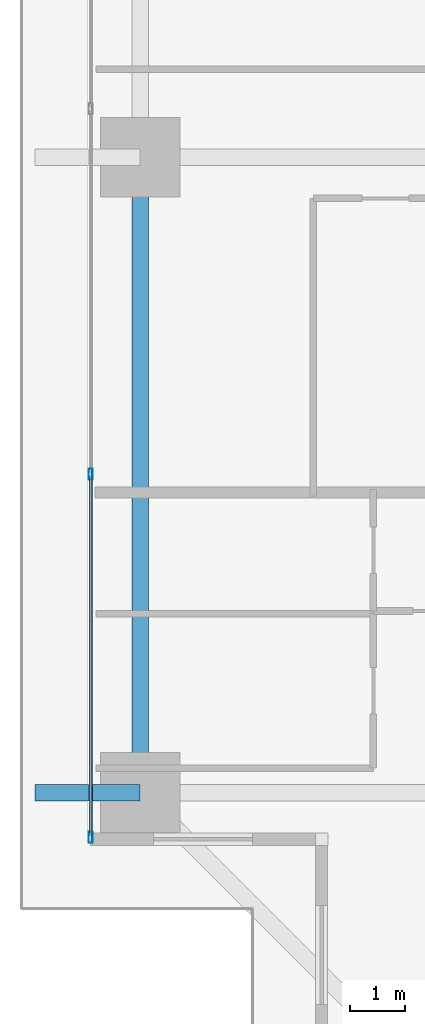
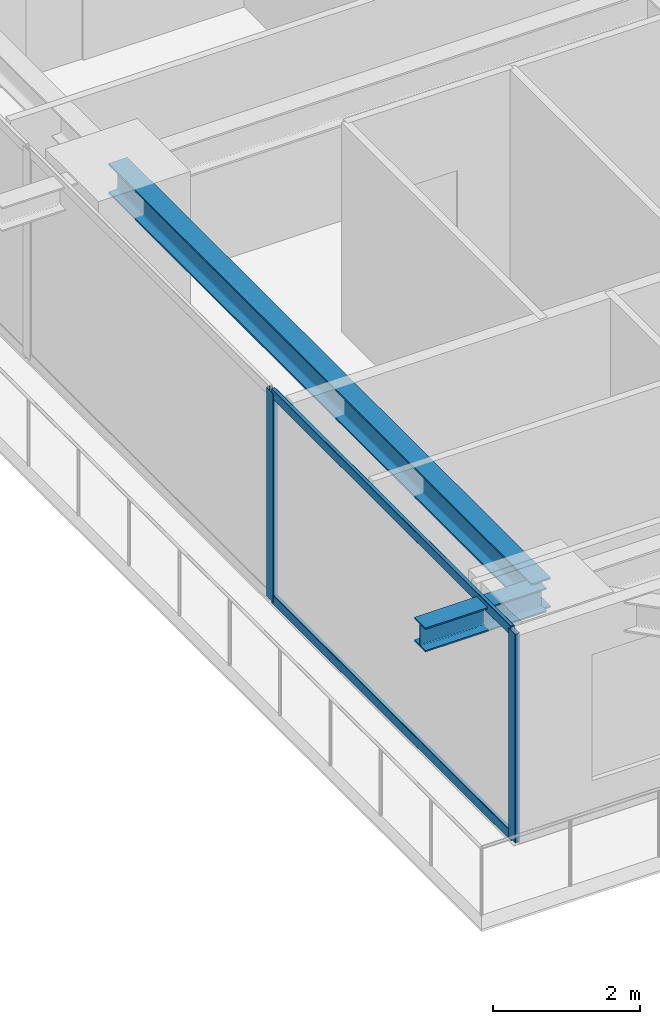
# One storey, part 3 of 38: 4 members, 2 beams, 1 element without a shape of its own.
"""IFC4 building model written with IfcOpenShell, lengths in metres."""

from ifc_helpers import new_model, si_unit, direction, frame, origin, origin_2d, place, context, subcontext, project, spatial, hollow_rectangle, i_section, extrude, source, transform, mapped, material, layer, layer_set, material_profile, profile_set, type_object, element, aggregate, save


model = new_model("IFC4")

# Units and contexts
model_context = context("Model", 3, precision=1e-05, world=origin(), true_north=direction((0.0, 1.0)))
body_context = subcontext(model_context, "Body", "Model", "MODEL_VIEW")
ifc_project = project(units=[si_unit("LENGTHUNIT", "METRE"), si_unit("AREAUNIT", "SQUARE_METRE"), si_unit("VOLUMEUNIT", "CUBIC_METRE"), si_unit("PLANEANGLEUNIT", "RADIAN"), si_unit("MASSUNIT", "GRAM", prefix="KILO")], contexts=[model_context])

# Site, building, storey
site_placement = place(None, origin())
site = spatial("IfcSite", under=ifc_project, at=site_placement, CompositionType="ELEMENT")
building_placement = place(site_placement, origin())
building = spatial("IfcBuilding", under=site, at=building_placement, Name="Serunith Strait Residences", CompositionType="ELEMENT")
storey_placement = place(building_placement, frame((0.0, 0.0, 30.449951171875)))
storey = spatial("IfcBuildingStorey", under=building, at=storey_placement, Name="L06", CompositionType="ELEMENT", Elevation=30.449951171875)

# Beams
ifc_material_1 = material(Name="Steel S355J2", Category="steel")
ifc_material_profile_1 = material_profile(ifc_material_1, i_section(OverallWidth=0.300048828125, OverallDepth=0.5, WebThickness=0.014404296875, FlangeThickness=0.028076171875, FilletRadius=0.027099609375, at=origin_2d()), Name="HEB 500")
ifc_profile_set_1 = profile_set([ifc_material_profile_1], Name="Steel S355J2")
beam_type_1 = type_object("IfcBeamType", Name="BM-HEB500", PredefinedType="BEAM", material=ifc_profile_set_1)
shared_shape_1 = source(origin(), body_context, "Body", "SweptSolid", [
    extrude(i_section(OverallWidth=0.300048828125, OverallDepth=0.5, WebThickness=0.014404296875, FlangeThickness=0.028076171875, FilletRadius=0.027099609375, at=origin_2d()), origin(), (0.0, 0.0, 1.0), 11.550048828125),
])
beam_1_placement = place(storey_placement, frame((6.89990234375, 21.0, 3.237060546875), z_axis=(0.0, -1.0, 0.0), x_axis=(1.0, 0.0, 0.0)))
element("IfcBeam", 1, at=beam_1_placement, inside=storey, type_object=beam_type_1, Name="L06 Perimeter Ring Beam 15", PredefinedType="BEAM", context=body_context, shape_type="MappedRepresentation", body=[
    mapped(shared_shape_1, transform((0.0, 0.0, 0.0), scale=1.0)),
])
ifc_material_profile_2 = material_profile(ifc_material_1, i_section(OverallWidth=0.300048828125, OverallDepth=0.39990234375, WebThickness=0.013427734375, FlangeThickness=0.02392578125, FilletRadius=0.027099609375, at=origin_2d()), Name="HEB 400")
ifc_profile_set_2 = profile_set([ifc_material_profile_2], Name="Steel S355J2")
beam_type_2 = type_object("IfcBeamType", Name="BM-HEB400", PredefinedType="BEAM", material=ifc_profile_set_2)
shared_shape_2 = source(origin(), body_context, "Body", "SweptSolid", [
    extrude(i_section(OverallWidth=0.300048828125, OverallDepth=0.39990234375, WebThickness=0.013427734375, FlangeThickness=0.02392578125, FilletRadius=0.027099609375, at=origin_2d()), origin(), (0.0, 0.0, 1.0), 1.909912109375),
])
beam_2_placement = place(storey_placement, frame((6.89990234375, 9.449951171875, 3.257080078125), z_axis=(-1.0, 0.0, 0.0), x_axis=(0.0, -1.0, 0.0)))
element("IfcBeam", 2, at=beam_2_placement, inside=storey, type_object=beam_type_2, Name="L07 Cantilevered Balcony Rib TC-W1", PredefinedType="BEAM", context=body_context, shape_type="MappedRepresentation", body=[
    mapped(shared_shape_2, transform((0.0, 0.0, 0.0), scale=1.0)),
])

# Curtain wall, members
ifc_material_2 = material(Name="Pale-Champagne Anodised Aluminium", Category="aluminium")
ifc_layer = layer(ifc_material_2, 0.199951171875, Name="Pale-Champagne Anodised Aluminium")
ifc_layer_set = layer_set([ifc_layer], Name="Pale-Champagne Anodised Aluminium")
curtain_wall_type = type_object("IfcCurtainWallType", Name="CW-SYS1", PredefinedType="NOTDEFINED", material=ifc_layer_set)
curtain_wall_placement = place(storey_placement, origin())
curtain_wall = element("IfcCurtainWall", 3, at=curtain_wall_placement, inside=storey, type_object=curtain_wall_type, Name="L06 W Unitised Fritted Curtain Wall", PredefinedType="NOTDEFINED")
ifc_material_profile_3 = material_profile(ifc_material_2, hollow_rectangle(XDim=0.070068359375, YDim=0.199951171875, WallThickness=0.00390625, InnerFilletRadius=0.006103515625, OuterFilletRadius=0.010009765625, at=origin_2d()), Name="ALU 200x70x4")
ifc_profile_set_3 = profile_set([ifc_material_profile_3], Name="Pale-Champagne Anodised Aluminium")
member_type_1 = type_object("IfcMemberType", Name="CW-SYS1-MULL", PredefinedType="MULLION", material=ifc_profile_set_3)
shared_shape_3 = source(origin(), body_context, "Body", "SweptSolid", [
    extrude(hollow_rectangle(XDim=0.070068359375, YDim=0.199951171875, WallThickness=0.00390625, InnerFilletRadius=0.006103515625, OuterFilletRadius=0.010009765625, at=origin_2d()), origin(), (0.0, 0.0, 1.0), 3.47509765625),
])
member_1_placement = place(storey_placement, frame((6.0, 15.239990234375, 0.0), z_axis=(0.0, 0.0, 1.0), x_axis=(1.0, 0.0, 0.0)))
member_1 = element("IfcMember", 4, at=member_1_placement, type_object=member_type_1, Name="CW-1 mullion 5", PredefinedType="MULLION", context=body_context, shape_type="MappedRepresentation", body=[
    mapped(shared_shape_3, transform((0.0, 0.0, 0.0), scale=1.0)),
])
member_2_placement = place(storey_placement, frame((6.0, 8.635009765625, 0.0), z_axis=(0.0, 0.0, 1.0), x_axis=(1.0, 0.0, 0.0)))
member_2 = element("IfcMember", 5, at=member_2_placement, type_object=member_type_1, Name="CW-1 mullion 6", PredefinedType="MULLION", context=body_context, shape_type="MappedRepresentation", body=[
    mapped(shared_shape_3, transform((0.0, 0.0, 0.0), scale=1.0)),
])
ifc_material_profile_4 = material_profile(ifc_material_2, hollow_rectangle(XDim=0.06005859375, YDim=0.159912109375, WallThickness=0.00341796875, InnerFilletRadius=0.00537109375, OuterFilletRadius=0.0087890625, at=origin_2d()), Name="ALU 160x60x3.5")
ifc_profile_set_4 = profile_set([ifc_material_profile_4], Name="Pale-Champagne Anodised Aluminium")
member_type_2 = type_object("IfcMemberType", Name="CW-SYS1-TRAN", PredefinedType="USERDEFINED", material=ifc_profile_set_4)
shared_shape_4 = source(origin(), body_context, "Body", "SweptSolid", [
    extrude(hollow_rectangle(XDim=0.06005859375, YDim=0.159912109375, WallThickness=0.00341796875, InnerFilletRadius=0.00537109375, OuterFilletRadius=0.0087890625, at=origin_2d()), origin(), (0.0, 0.0, 1.0), 6.53515625),
])
member_3_placement = place(storey_placement, frame((6.0, 15.205078125, 0.030029296875), z_axis=(0.0, -1.0, 0.0), x_axis=(1.0, 0.0, 0.0)))
member_3 = element("IfcMember", 6, at=member_3_placement, type_object=member_type_2, Name="CW-1 transom 5.1", ObjectType="TRANSOM", PredefinedType="USERDEFINED", context=body_context, shape_type="MappedRepresentation", body=[
    mapped(shared_shape_4, transform((0.0, 0.0, 0.0), scale=1.0)),
])
member_4_placement = place(storey_placement, frame((6.0, 15.205078125, 3.445068359375), z_axis=(0.0, -1.0, 0.0), x_axis=(1.0, 0.0, 0.0)))
member_4 = element("IfcMember", 7, at=member_4_placement, type_object=member_type_2, Name="CW-1 transom 5.2", ObjectType="TRANSOM", PredefinedType="USERDEFINED", context=body_context, shape_type="MappedRepresentation", body=[
    mapped(shared_shape_4, transform((0.0, 0.0, 0.0), scale=1.0)),
])
aggregate(curtain_wall, [member_1, member_2, member_3, member_4])

save(model, "model.ifc")
